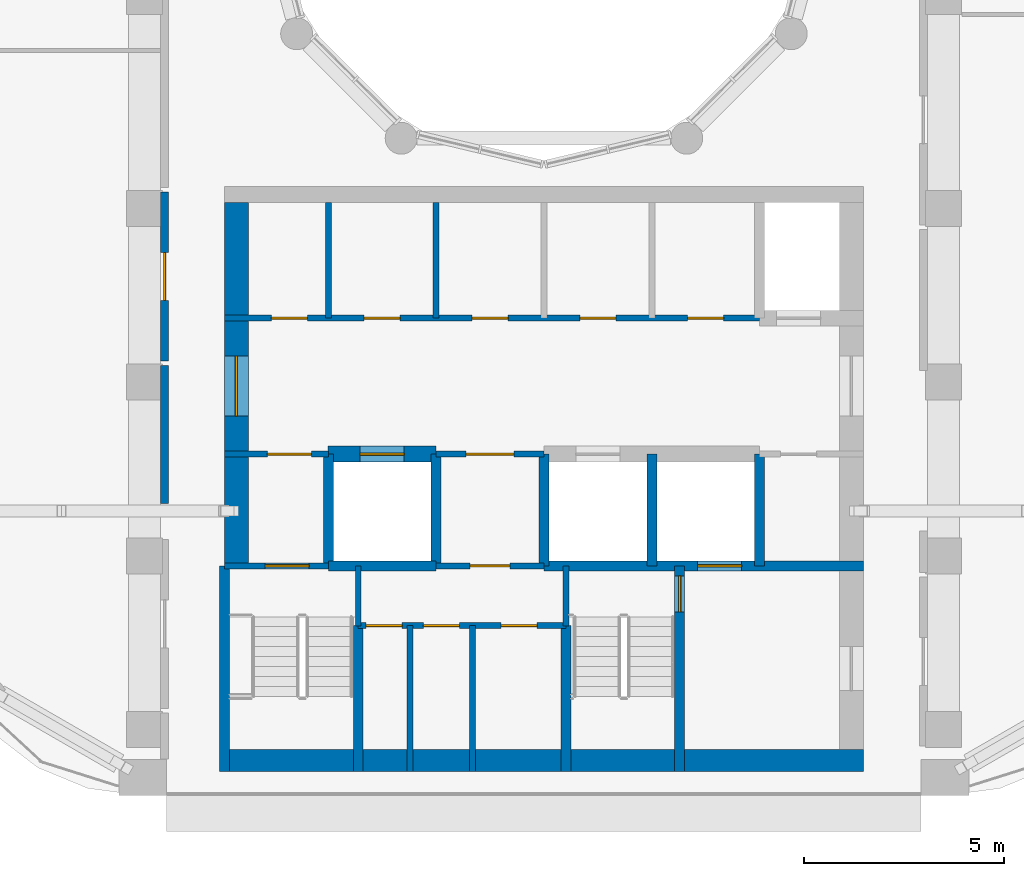
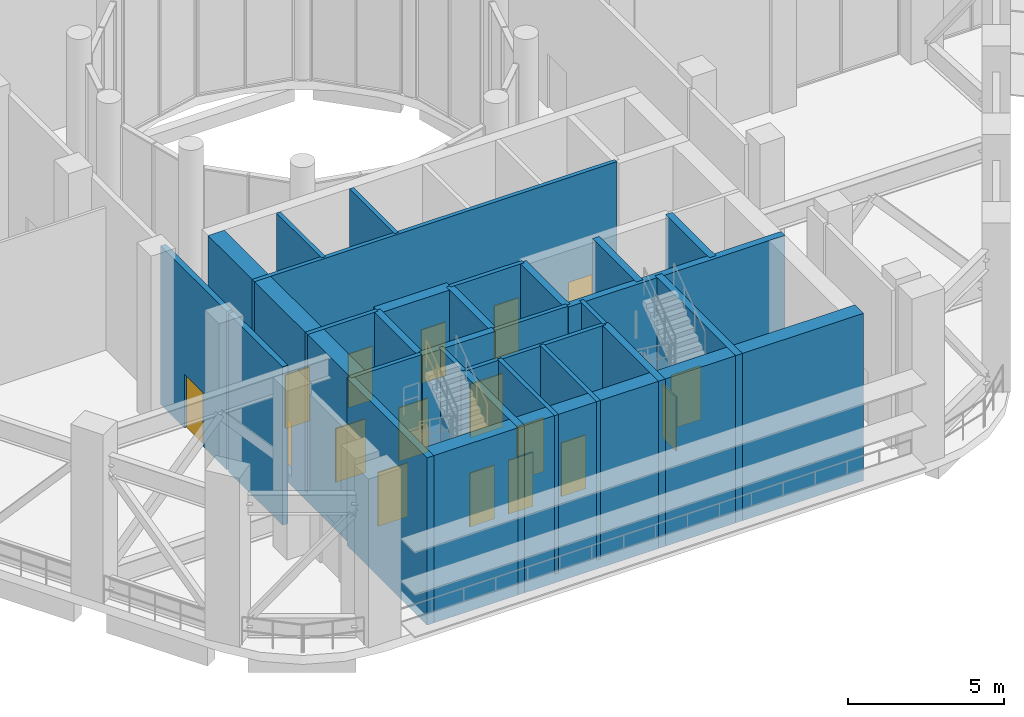
# One storey, part 8 of 19: 28 walls, 17 doors, 17 openings.
"""IFC4 building model written with IfcOpenShell, lengths in metres."""

from ifc_helpers import new_model, si_unit, direction, frame, frame_2d, origin, place, context, subcontext, project, spatial, rectangle, extrude, material, layer, layer_set, type_object, element, fill, save


model = new_model("IFC4")

# Units and contexts
model_context = context("Model", 3, precision=1e-05, world=origin(), true_north=direction((0.0, 1.0)))
body_context = subcontext(model_context, "Body", "Model", "MODEL_VIEW")
ifc_project = project(units=[si_unit("LENGTHUNIT", "METRE"), si_unit("AREAUNIT", "SQUARE_METRE"), si_unit("VOLUMEUNIT", "CUBIC_METRE"), si_unit("PLANEANGLEUNIT", "RADIAN"), si_unit("MASSUNIT", "GRAM", prefix="KILO")], contexts=[model_context])

# Site, building, storey
site_placement = place(None, origin())
site = spatial("IfcSite", under=ifc_project, at=site_placement, CompositionType="ELEMENT")
building_placement = place(site_placement, origin())
building = spatial("IfcBuilding", under=site, at=building_placement, Name="Nakaniwa Court", CompositionType="ELEMENT")
storey_placement = place(building_placement, frame((0.0, 0.0, 219.60009765625)))
storey = spatial("IfcBuildingStorey", under=building, at=storey_placement, Name="S4", CompositionType="ELEMENT", Elevation=219.60009765625)

# Wall
ifc_material_1 = material(Name="Acoustic double stud partition")
ifc_layer_1 = layer(ifc_material_1, 0.199951171875)
ifc_layer_set_1 = layer_set([ifc_layer_1], Name="Acoustic double stud partition")
wall_type_1 = type_object("IfcWallType", Name="Acoustic double stud partition 200", PredefinedType="PARTITIONING", material=ifc_layer_set_1)
wall_1_placement = place(storey_placement, frame((70.5, 64.655517578125, 0.0), z_axis=(0.0, 0.0, 1.0), x_axis=(0.0, 1.0, 0.0)))
element("IfcWall", 1, at=wall_1_placement, inside=storey, type_object=wall_type_1, Name="Partition PW-076", PredefinedType="PARTITIONING", context=body_context, shape_type="SweptSolid", body=[
    extrude(rectangle(XDim=3.45751953125, YDim=0.199951171875, at=frame_2d((1.728759765625, 0.0))), origin(), (0.0, 0.0, 1.0), 6.18994140625),
])

# Wall, opening, door
wall_2_placement = place(storey_placement, frame((70.5, 68.22705078125, 0.0), z_axis=(0.0, 0.0, 1.0), x_axis=(0.0, 1.0, 0.0)))
wall_2 = element("IfcWall", 2, at=wall_2_placement, inside=storey, type_object=wall_type_1, Name="Partition PW-077", PredefinedType="PARTITIONING", context=body_context, shape_type="SweptSolid", body=[
    extrude(rectangle(XDim=4.23583984375, YDim=0.199951171875, at=frame_2d((2.117919921875, 0.0))), origin(), (0.0, 0.0, 1.0), 6.18994140625),
])
opening_1_placement = place(wall_2_placement, frame((1.51806640625, 0.0, 0.0)))
opening_1 = element("IfcOpeningElement", 3, at=opening_1_placement, cuts=wall_2, Name="Opening D-35-03", PredefinedType="OPENING", context=body_context, shape_type="SweptSolid", body=[
    extrude(rectangle(XDim=1.199951171875, YDim=2.10009765625, at=frame_2d((0.60009765625, 1.050048828125))), frame((0.0, 0.10986328125, 0.0), z_axis=(0.0, -1.0, 0.0), x_axis=(1.0, 0.0, 0.0)), (0.0, 0.0, 1.0), 0.219970703125),
])
ifc_material_2 = material(Name="Fire rated steel door set", Category="steel")
door_type_1 = type_object("IfcDoorType", Name="Service room door 1200", OperationType="NOTDEFINED", PredefinedType="DOOR", material=ifc_material_2)
door_1_placement = place(opening_1_placement, origin())
door_1 = element("IfcDoor", 4, at=door_1_placement, inside=storey, type_object=door_type_1, Name="Door D-35-03 S4-035", OperationType="SINGLE_SWING_RIGHT", OverallHeight=2.10009765625, OverallWidth=1.199951171875, PredefinedType="DOOR", context=body_context, shape_type="SweptSolid", body=[
    extrude(rectangle(XDim=1.199951171875, YDim=2.10009765625, at=frame_2d((0.60009765625, 1.050048828125))), frame((0.0, 0.02490234375, 0.0), z_axis=(0.0, -1.0, 0.0), x_axis=(1.0, 0.0, 0.0)), (0.0, 0.0, 1.0), 0.050048828125),
])
fill(opening_1, door_1)

# Wall
ifc_material_3 = material(Name="Blockwork partition", Category="masonry")
ifc_layer_2 = layer(ifc_material_3, 0.14990234375)
ifc_layer_set_2 = layer_set([ifc_layer_2], Name="Blockwork partition")
wall_type_2 = type_object("IfcWallType", Name="Blockwork partition 150", PredefinedType="PARTITIONING", material=ifc_layer_set_2)
wall_3_placement = place(storey_placement, frame((74.60009765625, 69.300048828125, 0.0), z_axis=(0.0, 0.0, 1.0), x_axis=(0.0, 1.0, 0.0)))
element("IfcWall", 5, at=wall_3_placement, inside=storey, type_object=wall_type_2, Name="Partition PW-033", PredefinedType="PARTITIONING", context=body_context, shape_type="SweptSolid", body=[
    extrude(rectangle(XDim=2.89990234375, YDim=0.14990234375, at=frame_2d((1.449951171875, 0.0))), origin(), (0.0, 0.0, 1.0), 6.18994140625),
])

# Wall, openings, doors
wall_4_placement = place(storey_placement, frame((72.0, 69.300048828125, 0.0), z_axis=(0.0, 0.0, 1.0), x_axis=(1.0, 0.0, 0.0)))
wall_4 = element("IfcWall", 6, at=wall_4_placement, inside=storey, type_object=wall_type_2, Name="Partition PW-034", PredefinedType="PARTITIONING", context=body_context, shape_type="SweptSolid", body=[
    extrude(rectangle(XDim=13.39990234375, YDim=0.14990234375, at=frame_2d((6.699951171875, 0.0))), origin(), (0.0, 0.0, 1.0), 6.18994140625),
])
opening_2_placement = place(wall_4_placement, frame((1.175048828125, 0.0, 0.0)))
opening_2 = element("IfcOpeningElement", 7, at=opening_2_placement, cuts=wall_4, Name="Opening D-05-10", PredefinedType="OPENING", context=body_context, shape_type="SweptSolid", body=[
    extrude(rectangle(XDim=0.89990234375, YDim=2.10009765625, at=frame_2d((0.449951171875, 1.050048828125))), frame((0.0, 0.0849609375, 0.0), z_axis=(0.0, -1.0, 0.0), x_axis=(1.0, 0.0, 0.0)), (0.0, 0.0, 1.0), 0.169921875),
])
opening_3_placement = place(wall_4_placement, frame((3.5, 0.0, 0.0)))
opening_3 = element("IfcOpeningElement", 8, at=opening_3_placement, cuts=wall_4, Name="Opening D-05-11", PredefinedType="OPENING", context=body_context, shape_type="SweptSolid", body=[
    extrude(rectangle(XDim=0.89990234375, YDim=2.10009765625, at=frame_2d((0.449951171875, 1.050048828125))), frame((0.0, 0.0849609375, 0.0), z_axis=(0.0, -1.0, 0.0), x_axis=(1.0, 0.0, 0.0)), (0.0, 0.0, 1.0), 0.169921875),
])
opening_4_placement = place(wall_4_placement, frame((6.199951171875, 0.0, 0.0)))
opening_4 = element("IfcOpeningElement", 9, at=opening_4_placement, cuts=wall_4, Name="Opening D-05-12", PredefinedType="OPENING", context=body_context, shape_type="SweptSolid", body=[
    extrude(rectangle(XDim=0.89990234375, YDim=2.10009765625, at=frame_2d((0.449951171875, 1.050048828125))), frame((0.0, 0.0849609375, 0.0), z_axis=(0.0, -1.0, 0.0), x_axis=(1.0, 0.0, 0.0)), (0.0, 0.0, 1.0), 0.169921875),
])
opening_5_placement = place(wall_4_placement, frame((8.89990234375, 0.0, 0.0)))
opening_5 = element("IfcOpeningElement", 10, at=opening_5_placement, cuts=wall_4, Name="Opening D-05-13", PredefinedType="OPENING", context=body_context, shape_type="SweptSolid", body=[
    extrude(rectangle(XDim=0.89990234375, YDim=2.10009765625, at=frame_2d((0.449951171875, 1.050048828125))), frame((0.0, 0.0849609375, 0.0), z_axis=(0.0, -1.0, 0.0), x_axis=(1.0, 0.0, 0.0)), (0.0, 0.0, 1.0), 0.169921875),
])
opening_6_placement = place(wall_4_placement, frame((11.60009765625, 0.0, 0.0)))
opening_6 = element("IfcOpeningElement", 11, at=opening_6_placement, cuts=wall_4, Name="Opening D-05-14", PredefinedType="OPENING", context=body_context, shape_type="SweptSolid", body=[
    extrude(rectangle(XDim=0.89990234375, YDim=2.10009765625, at=frame_2d((0.449951171875, 1.050048828125))), frame((0.0, 0.0849609375, 0.0), z_axis=(0.0, -1.0, 0.0), x_axis=(1.0, 0.0, 0.0)), (0.0, 0.0, 1.0), 0.169921875),
])
door_type_2 = type_object("IfcDoorType", Name="Service room door 900", OperationType="NOTDEFINED", PredefinedType="DOOR", material=ifc_material_2)
door_2_placement = place(opening_2_placement, origin())
door_2 = element("IfcDoor", 12, at=door_2_placement, inside=storey, type_object=door_type_2, Name="Door D-05-10 S4-015", OperationType="SINGLE_SWING_RIGHT", OverallHeight=2.10009765625, OverallWidth=0.89990234375, PredefinedType="DOOR", context=body_context, shape_type="SweptSolid", body=[
    extrude(rectangle(XDim=0.89990234375, YDim=2.10009765625, at=frame_2d((0.449951171875, 1.050048828125))), frame((0.0, 0.02490234375, 0.0), z_axis=(0.0, -1.0, 0.0), x_axis=(1.0, 0.0, 0.0)), (0.0, 0.0, 1.0), 0.050048828125),
])
fill(opening_2, door_2)
door_3_placement = place(opening_3_placement, origin())
door_3 = element("IfcDoor", 13, at=door_3_placement, inside=storey, type_object=door_type_2, Name="Door D-05-11 S4-016", OperationType="SINGLE_SWING_LEFT", OverallHeight=2.10009765625, OverallWidth=0.89990234375, PredefinedType="DOOR", context=body_context, shape_type="SweptSolid", body=[
    extrude(rectangle(XDim=0.89990234375, YDim=2.10009765625, at=frame_2d((0.449951171875, 1.050048828125))), frame((0.0, 0.02490234375, 0.0), z_axis=(0.0, -1.0, 0.0), x_axis=(1.0, 0.0, 0.0)), (0.0, 0.0, 1.0), 0.050048828125),
])
fill(opening_3, door_3)
door_4_placement = place(opening_4_placement, origin())
door_4 = element("IfcDoor", 14, at=door_4_placement, inside=storey, type_object=door_type_2, Name="Door D-05-12 S4-017", OperationType="SINGLE_SWING_RIGHT", OverallHeight=2.10009765625, OverallWidth=0.89990234375, PredefinedType="DOOR", context=body_context, shape_type="SweptSolid", body=[
    extrude(rectangle(XDim=0.89990234375, YDim=2.10009765625, at=frame_2d((0.449951171875, 1.050048828125))), frame((0.0, 0.02490234375, 0.0), z_axis=(0.0, -1.0, 0.0), x_axis=(1.0, 0.0, 0.0)), (0.0, 0.0, 1.0), 0.050048828125),
])
fill(opening_4, door_4)
door_5_placement = place(opening_5_placement, origin())
door_5 = element("IfcDoor", 15, at=door_5_placement, inside=storey, type_object=door_type_2, Name="Door D-05-13 S4-018", OperationType="SINGLE_SWING_LEFT", OverallHeight=2.10009765625, OverallWidth=0.89990234375, PredefinedType="DOOR", context=body_context, shape_type="SweptSolid", body=[
    extrude(rectangle(XDim=0.89990234375, YDim=2.10009765625, at=frame_2d((0.449951171875, 1.050048828125))), frame((0.0, 0.02490234375, 0.0), z_axis=(0.0, -1.0, 0.0), x_axis=(1.0, 0.0, 0.0)), (0.0, 0.0, 1.0), 0.050048828125),
])
fill(opening_5, door_5)
door_6_placement = place(opening_6_placement, origin())
door_6 = element("IfcDoor", 16, at=door_6_placement, inside=storey, type_object=door_type_2, Name="Door D-05-14 S4-019", OperationType="SINGLE_SWING_RIGHT", OverallHeight=2.10009765625, OverallWidth=0.89990234375, PredefinedType="DOOR", context=body_context, shape_type="SweptSolid", body=[
    extrude(rectangle(XDim=0.89990234375, YDim=2.10009765625, at=frame_2d((0.449951171875, 1.050048828125))), frame((0.0, 0.02490234375, 0.0), z_axis=(0.0, -1.0, 0.0), x_axis=(1.0, 0.0, 0.0)), (0.0, 0.0, 1.0), 0.050048828125),
])
fill(opening_6, door_6)

# Wall
wall_5_placement = place(storey_placement, frame((77.300048828125, 69.300048828125, 0.0), z_axis=(0.0, 0.0, 1.0), x_axis=(0.0, 1.0, 0.0)))
element("IfcWall", 17, at=wall_5_placement, inside=storey, type_object=wall_type_2, Name="Partition PW-040", PredefinedType="PARTITIONING", context=body_context, shape_type="SweptSolid", body=[
    extrude(rectangle(XDim=2.89990234375, YDim=0.14990234375, at=frame_2d((1.449951171875, 0.0))), origin(), (0.0, 0.0, 1.0), 6.18994140625),
])

# Wall, opening, door
wall_6_placement = place(storey_placement, frame((74.60302734375, 65.89990234375, 0.0), z_axis=(0.0, 0.0, 1.0), x_axis=(-1.0, 0.0, 0.0)))
wall_6 = element("IfcWall", 18, at=wall_6_placement, inside=storey, type_object=wall_type_2, Name="Partition PW-043", PredefinedType="PARTITIONING", context=body_context, shape_type="SweptSolid", body=[
    extrude(rectangle(XDim=2.60302734375, YDim=0.14990234375, at=frame_2d((1.301513671875, 0.0))), origin(), (0.0, 0.0, 1.0), 6.18994140625),
])
opening_7_placement = place(wall_6_placement, frame((0.427978515625, 0.0, 0.0)))
opening_7 = element("IfcOpeningElement", 19, at=opening_7_placement, cuts=wall_6, Name="Opening D-08-02", PredefinedType="OPENING", context=body_context, shape_type="SweptSolid", body=[
    extrude(rectangle(XDim=1.10009765625, YDim=2.10009765625, at=frame_2d((0.550048828125, 1.050048828125))), frame((0.0, 0.0849609375, 0.0), z_axis=(0.0, -1.0, 0.0), x_axis=(1.0, 0.0, 0.0)), (0.0, 0.0, 1.0), 0.169921875),
])
door_type_3 = type_object("IfcDoorType", Name="Stair lobby door 1100", OperationType="NOTDEFINED", PredefinedType="DOOR", material=ifc_material_2)
door_7_placement = place(opening_7_placement, origin())
door_7 = element("IfcDoor", 20, at=door_7_placement, inside=storey, type_object=door_type_3, Name="Door D-08-02 S4-020", OperationType="SINGLE_SWING_LEFT", OverallHeight=2.10009765625, OverallWidth=1.10009765625, PredefinedType="DOOR", context=body_context, shape_type="SweptSolid", body=[
    extrude(rectangle(XDim=1.10009765625, YDim=2.10009765625, at=frame_2d((0.550048828125, 1.050048828125))), frame((0.0, 0.02490234375, 0.0), z_axis=(0.0, -1.0, 0.0), x_axis=(1.0, 0.0, 0.0)), (0.0, 0.0, 1.0), 0.050048828125),
])
fill(opening_7, door_7)

wall_7_placement = place(storey_placement, frame((80.0029296875, 65.89990234375, 0.0), z_axis=(0.0, 0.0, 1.0), x_axis=(-1.0, 0.0, 0.0)))
wall_7 = element("IfcWall", 21, at=wall_7_placement, inside=storey, type_object=wall_type_2, Name="Partition PW-044", PredefinedType="PARTITIONING", context=body_context, shape_type="SweptSolid", body=[
    extrude(rectangle(XDim=2.705810546875, YDim=0.14990234375, at=frame_2d((1.35302734375, 0.0))), origin(), (0.0, 0.0, 1.0), 6.18994140625),
])
opening_8_placement = place(wall_7_placement, frame((0.7529296875, 0.0, 0.0)))
opening_8 = element("IfcOpeningElement", 22, at=opening_8_placement, cuts=wall_7, Name="Opening D-06-02", PredefinedType="OPENING", context=body_context, shape_type="SweptSolid", body=[
    extrude(rectangle(XDim=1.199951171875, YDim=2.10009765625, at=frame_2d((0.60009765625, 1.050048828125))), frame((0.0, 0.0849609375, 0.0), z_axis=(0.0, -1.0, 0.0), x_axis=(1.0, 0.0, 0.0)), (0.0, 0.0, 1.0), 0.169921875),
])
ifc_material_4 = material(Name="Fire rated steel double door set", Category="steel")
door_type_4 = type_object("IfcDoorType", Name="Service passage double door 1200", OperationType="NOTDEFINED", PredefinedType="DOOR", material=ifc_material_4)
door_8_placement = place(opening_8_placement, origin())
door_8 = element("IfcDoor", 23, at=door_8_placement, inside=storey, type_object=door_type_4, Name="Door D-06-02 S4-021", OperationType="DOUBLE_DOOR_SINGLE_SWING", OverallHeight=2.10009765625, OverallWidth=1.199951171875, PredefinedType="DOOR", context=body_context, shape_type="SweptSolid", body=[
    extrude(rectangle(XDim=1.199951171875, YDim=2.10009765625, at=frame_2d((0.60009765625, 1.050048828125))), frame((0.0, 0.02490234375, 0.0), z_axis=(0.0, -1.0, 0.0), x_axis=(1.0, 0.0, 0.0)), (0.0, 0.0, 1.0), 0.050048828125),
])
fill(opening_8, door_8)

wall_8_placement = place(storey_placement, frame((80.0, 63.10009765625, 0.0), z_axis=(0.0, 0.0, 1.0), x_axis=(-1.0, 0.0, 0.0)))
wall_8 = element("IfcWall", 24, at=wall_8_placement, inside=storey, type_object=wall_type_2, Name="Partition PW-054", PredefinedType="PARTITIONING", context=body_context, shape_type="SweptSolid", body=[
    extrude(rectangle(XDim=2.699951171875, YDim=0.14990234375, at=frame_2d((1.35009765625, 0.0))), origin(), (0.0, 0.0, 1.0), 6.18994140625),
])
opening_9_placement = place(wall_8_placement, frame((0.85009765625, 0.0, 0.0)))
opening_9 = element("IfcOpeningElement", 25, at=opening_9_placement, cuts=wall_8, Name="Opening D-23-02", PredefinedType="OPENING", context=body_context, shape_type="SweptSolid", body=[
    extrude(rectangle(XDim=1.0, YDim=2.10009765625, at=frame_2d((0.5, 1.050048828125))), frame((0.0, 0.0849609375, 0.0), z_axis=(0.0, -1.0, 0.0), x_axis=(1.0, 0.0, 0.0)), (0.0, 0.0, 1.0), 0.169921875),
])
door_type_5 = type_object("IfcDoorType", Name="Service room door 1000", OperationType="NOTDEFINED", PredefinedType="DOOR", material=ifc_material_2)
door_9_placement = place(opening_9_placement, origin())
door_9 = element("IfcDoor", 26, at=door_9_placement, inside=storey, type_object=door_type_5, Name="Door D-23-02 S4-023", OperationType="SINGLE_SWING_RIGHT", OverallHeight=2.10009765625, OverallWidth=1.0, PredefinedType="DOOR", context=body_context, shape_type="SweptSolid", body=[
    extrude(rectangle(XDim=1.0, YDim=2.10009765625, at=frame_2d((0.5, 1.050048828125))), frame((0.0, 0.02490234375, 0.0), z_axis=(0.0, -1.0, 0.0), x_axis=(1.0, 0.0, 0.0)), (0.0, 0.0, 1.0), 0.050048828125),
])
fill(opening_9, door_9)

# Wall, openings, doors
wall_9_placement = place(storey_placement, frame((80.550048828125, 61.60009765625, 0.0), z_axis=(0.0, 0.0, 1.0), x_axis=(-1.0, 0.0, 0.0)))
wall_9 = element("IfcWall", 27, at=wall_9_placement, inside=storey, type_object=wall_type_2, Name="Partition PW-062", PredefinedType="PARTITIONING", context=body_context, shape_type="SweptSolid", body=[
    extrude(rectangle(XDim=5.199951171875, YDim=0.14990234375, at=frame_2d((2.60009765625, 0.0))), origin(), (0.0, 0.0, 1.0), 6.18994140625),
])
opening_10_placement = place(wall_9_placement, frame((4.10009765625, 0.0, 0.0)))
opening_10 = element("IfcOpeningElement", 28, at=opening_10_placement, cuts=wall_9, Name="Opening D-05-16", PredefinedType="OPENING", context=body_context, shape_type="SweptSolid", body=[
    extrude(rectangle(XDim=0.89990234375, YDim=2.10009765625, at=frame_2d((0.449951171875, 1.050048828125))), frame((0.0, 0.0849609375, 0.0), z_axis=(0.0, -1.0, 0.0), x_axis=(1.0, 0.0, 0.0)), (0.0, 0.0, 1.0), 0.169921875),
])
opening_11_placement = place(wall_9_placement, frame((2.669921875, 0.0, 0.0)))
opening_11 = element("IfcOpeningElement", 29, at=opening_11_placement, cuts=wall_9, Name="Opening D-05-17", PredefinedType="OPENING", context=body_context, shape_type="SweptSolid", body=[
    extrude(rectangle(XDim=0.89990234375, YDim=2.10009765625, at=frame_2d((0.449951171875, 1.050048828125))), frame((0.0, 0.0849609375, 0.0), z_axis=(0.0, -1.0, 0.0), x_axis=(1.0, 0.0, 0.0)), (0.0, 0.0, 1.0), 0.169921875),
])
opening_12_placement = place(wall_9_placement, frame((0.719970703125, 0.0, 0.0)))
opening_12 = element("IfcOpeningElement", 30, at=opening_12_placement, cuts=wall_9, Name="Opening D-05-18", PredefinedType="OPENING", context=body_context, shape_type="SweptSolid", body=[
    extrude(rectangle(XDim=0.89990234375, YDim=2.10009765625, at=frame_2d((0.449951171875, 1.050048828125))), frame((0.0, 0.0849609375, 0.0), z_axis=(0.0, -1.0, 0.0), x_axis=(1.0, 0.0, 0.0)), (0.0, 0.0, 1.0), 0.169921875),
])
door_10_placement = place(opening_10_placement, origin())
door_10 = element("IfcDoor", 31, at=door_10_placement, inside=storey, type_object=door_type_2, Name="Door D-05-16 S4-024", OperationType="SINGLE_SWING_LEFT", OverallHeight=2.10009765625, OverallWidth=0.89990234375, PredefinedType="DOOR", context=body_context, shape_type="SweptSolid", body=[
    extrude(rectangle(XDim=0.89990234375, YDim=2.10009765625, at=frame_2d((0.449951171875, 1.050048828125))), frame((0.0, 0.02490234375, 0.0), z_axis=(0.0, -1.0, 0.0), x_axis=(1.0, 0.0, 0.0)), (0.0, 0.0, 1.0), 0.050048828125),
])
fill(opening_10, door_10)
door_11_placement = place(opening_11_placement, origin())
door_11 = element("IfcDoor", 32, at=door_11_placement, inside=storey, type_object=door_type_2, Name="Door D-05-17 S4-025", OperationType="SINGLE_SWING_RIGHT", OverallHeight=2.10009765625, OverallWidth=0.89990234375, PredefinedType="DOOR", context=body_context, shape_type="SweptSolid", body=[
    extrude(rectangle(XDim=0.89990234375, YDim=2.10009765625, at=frame_2d((0.449951171875, 1.050048828125))), frame((0.0, 0.02490234375, 0.0), z_axis=(0.0, -1.0, 0.0), x_axis=(1.0, 0.0, 0.0)), (0.0, 0.0, 1.0), 0.050048828125),
])
fill(opening_11, door_11)
door_12_placement = place(opening_12_placement, origin())
door_12 = element("IfcDoor", 33, at=door_12_placement, inside=storey, type_object=door_type_2, Name="Door D-05-18 S4-026", OperationType="SINGLE_SWING_LEFT", OverallHeight=2.10009765625, OverallWidth=0.89990234375, PredefinedType="DOOR", context=body_context, shape_type="SweptSolid", body=[
    extrude(rectangle(XDim=0.89990234375, YDim=2.10009765625, at=frame_2d((0.449951171875, 1.050048828125))), frame((0.0, 0.02490234375, 0.0), z_axis=(0.0, -1.0, 0.0), x_axis=(1.0, 0.0, 0.0)), (0.0, 0.0, 1.0), 0.050048828125),
])
fill(opening_12, door_12)

# Walls
for number, where, z_axis, x_axis, name in (
    (34, (76.64990234375, 57.949951171875, 0.0), (0.0, 0.0, 1.0), (0.0, 1.0, 0.0), "Partition PW-063"),
    (35, (78.2099609375, 57.949951171875, 0.0), (0.0, 0.0, 1.0), (0.0, 1.0, 0.0), "Partition PW-064"),
):
    element("IfcWall", number, at=place(storey_placement, frame(where, z_axis=z_axis, x_axis=x_axis)), inside=storey, type_object=wall_type_2, Name=name, PredefinedType="PARTITIONING", context=body_context, shape_type="SweptSolid", body=[
        extrude(rectangle(XDim=3.650146484375, YDim=0.14990234375, at=frame_2d((1.8251953125, 0.0))), origin(), (0.0, 0.0, 1.0), 6.18994140625),
    ])

# Wall, opening, door
ifc_material_5 = material(Name="Concrete C80/100", Category="concrete")
ifc_layer_3 = layer(ifc_material_5, 0.60009765625)
ifc_layer_set_3 = layer_set([ifc_layer_3], Name="Concrete C80/100")
wall_type_3 = type_object("IfcWallType", Name="Concrete core side wall 600 C80", PredefinedType="SHEAR", material=ifc_layer_set_3)
wall_10_placement = place(storey_placement, frame((72.300048828125, 63.10009765625, -0.35009765625), z_axis=(0.0, 0.0, 1.0), x_axis=(0.0, 1.0, 0.0)))
wall_10 = element("IfcWall", 36, at=wall_10_placement, inside=storey, type_object=wall_type_3, Name="Core wall SW-35", PredefinedType="SHEAR", context=body_context, shape_type="SweptSolid", body=[
    extrude(rectangle(XDim=9.099853515625, YDim=0.60009765625, at=frame_2d((4.5498046875, 0.0))), origin(), (0.0, 0.0, 1.0), 6.5400390625),
])
opening_13_placement = place(wall_10_placement, frame((3.75, 0.0, 0.35009765625)))
opening_13 = element("IfcOpeningElement", 37, at=opening_13_placement, cuts=wall_10, Name="Opening D-07-04", PredefinedType="OPENING", context=body_context, shape_type="SweptSolid", body=[
    extrude(rectangle(XDim=1.5, YDim=2.10009765625, at=frame_2d((0.75, 1.050048828125))), frame((0.0, 0.31005859375, 0.0), z_axis=(0.0, -1.0, 0.0), x_axis=(1.0, 0.0, 0.0)), (0.0, 0.0, 1.0), 0.6201171875),
])
ifc_material_6 = material(Name="Glazed fire rated steel double door set", Category="steel")
door_type_6 = type_object("IfcDoorType", Name="Lobby double door 1500", OperationType="NOTDEFINED", PredefinedType="DOOR", material=ifc_material_6)
door_13_placement = place(opening_13_placement, origin())
door_13 = element("IfcDoor", 38, at=door_13_placement, inside=storey, type_object=door_type_6, Name="Door D-07-04 S4-043", OperationType="DOUBLE_DOOR_SINGLE_SWING", OverallHeight=2.10009765625, OverallWidth=1.5, PredefinedType="DOOR", context=body_context, shape_type="SweptSolid", body=[
    extrude(rectangle(XDim=1.5, YDim=2.10009765625, at=frame_2d((0.75, 1.050048828125))), frame((0.0, 0.02490234375, 0.0), z_axis=(0.0, -1.0, 0.0), x_axis=(1.0, 0.0, 0.0)), (0.0, 0.0, 1.0), 0.050048828125),
])
fill(opening_13, door_13)

ifc_layer_4 = layer(ifc_material_5, 0.39990234375)
ifc_layer_set_4 = layer_set([ifc_layer_4], Name="Concrete C80/100")
wall_type_4 = type_object("IfcWallType", Name="Concrete core spine wall 400 C80", PredefinedType="SHEAR", material=ifc_layer_set_4)
wall_11_placement = place(storey_placement, frame((74.596923828125, 65.89990234375, -0.35009765625), z_axis=(0.0, 0.0, 1.0), x_axis=(1.0, 0.0, 0.0)))
wall_11 = element("IfcWall", 39, at=wall_11_placement, inside=storey, type_object=wall_type_4, Name="Core wall SW-46", PredefinedType="SHEAR", context=body_context, shape_type="SweptSolid", body=[
    extrude(rectangle(XDim=2.7060546875, YDim=0.39990234375, at=frame_2d((1.35302734375, 0.0))), origin(), (0.0, 0.0, 1.0), 6.5400390625),
])
opening_14_placement = place(wall_11_placement, frame((0.802978515625, 0.0, 0.35009765625)))
opening_14 = element("IfcOpeningElement", 40, at=opening_14_placement, cuts=wall_11, Name="Opening LD06", PredefinedType="OPENING", context=body_context, shape_type="SweptSolid", body=[
    extrude(rectangle(XDim=1.10009765625, YDim=2.10009765625, at=frame_2d((0.550048828125, 1.050048828125))), frame((0.0, 0.2099609375, 0.0), z_axis=(0.0, -1.0, 0.0), x_axis=(1.0, 0.0, 0.0)), (0.0, 0.0, 1.0), 0.419921875),
])
ifc_material_7 = material(Name="Stainless steel sliding lift landing door", Category="steel")
door_type_7 = type_object("IfcDoorType", Name="Lift landing door 1100", OperationType="NOTDEFINED", PredefinedType="DOOR", material=ifc_material_7)
door_14_placement = place(opening_14_placement, origin())
door_14 = element("IfcDoor", 41, at=door_14_placement, inside=storey, type_object=door_type_7, Name="Lift landing door LD06 S4-006", OperationType="SLIDING_TO_LEFT", OverallHeight=2.10009765625, OverallWidth=1.10009765625, PredefinedType="DOOR", context=body_context, shape_type="SweptSolid", body=[
    extrude(rectangle(XDim=1.10009765625, YDim=2.10009765625, at=frame_2d((0.550048828125, 1.050048828125))), frame((0.0, 0.02490234375, 0.0), z_axis=(0.0, -1.0, 0.0), x_axis=(1.0, 0.0, 0.0)), (0.0, 0.0, 1.0), 0.050048828125),
])
fill(opening_14, door_14)

ifc_layer_5 = layer(ifc_material_5, 0.14990234375)
ifc_layer_set_5 = layer_set([ifc_layer_5], Name="Concrete C80/100")
wall_type_5 = type_object("IfcWallType", Name="Concrete core wall 150 C80", PredefinedType="SHEAR", material=ifc_layer_set_5)
wall_12_placement = place(storey_placement, frame((72.0, 63.10009765625, -0.35009765625), z_axis=(0.0, 0.0, 1.0), x_axis=(1.0, 0.0, 0.0)))
wall_12 = element("IfcWall", 42, at=wall_12_placement, inside=storey, type_object=wall_type_5, Name="Core wall SW-49", PredefinedType="SHEAR", context=body_context, shape_type="SweptSolid", body=[
    extrude(rectangle(XDim=2.60009765625, YDim=0.14990234375, at=frame_2d((1.300048828125, 0.0))), origin(), (0.0, 0.0, 1.0), 6.5400390625),
])
opening_15_placement = place(wall_12_placement, frame((1.02001953125, 0.0, 0.35009765625)))
opening_15 = element("IfcOpeningElement", 43, at=opening_15_placement, cuts=wall_12, Name="Opening D-09-02", PredefinedType="OPENING", context=body_context, shape_type="SweptSolid", body=[
    extrude(rectangle(XDim=1.10009765625, YDim=2.10009765625, at=frame_2d((0.550048828125, 1.050048828125))), frame((0.0, 0.0849609375, 0.0), z_axis=(0.0, -1.0, 0.0), x_axis=(1.0, 0.0, 0.0)), (0.0, 0.0, 1.0), 0.169921875),
])
door_type_8 = type_object("IfcDoorType", Name="Stair door 1100", OperationType="NOTDEFINED", PredefinedType="DOOR", material=ifc_material_2)
door_15_placement = place(opening_15_placement, origin())
door_15 = element("IfcDoor", 44, at=door_15_placement, inside=storey, type_object=door_type_8, Name="Door D-09-02 S4-027", OperationType="SINGLE_SWING_LEFT", OverallHeight=2.10009765625, OverallWidth=1.10009765625, PredefinedType="DOOR", context=body_context, shape_type="SweptSolid", body=[
    extrude(rectangle(XDim=1.10009765625, YDim=2.10009765625, at=frame_2d((0.550048828125, 1.050048828125))), frame((0.0, 0.02490234375, 0.0), z_axis=(0.0, -1.0, 0.0), x_axis=(1.0, 0.0, 0.0)), (0.0, 0.0, 1.0), 0.050048828125),
])
fill(opening_15, door_15)

# Walls
for number, where, z_axis, x_axis, name in (
    (45, (75.35009765625, 61.596923828125, -0.35009765625), (0.0, 0.0, 1.0), (0.0, 1.0, 0.0), "Core wall SW-56"),
    (46, (80.550048828125, 61.596923828125, -0.35009765625), (0.0, 0.0, 1.0), (0.0, 1.0, 0.0), "Core wall SW-60"),
):
    element("IfcWall", number, at=place(storey_placement, frame(where, z_axis=z_axis, x_axis=x_axis)), inside=storey, type_object=wall_type_5, Name=name, PredefinedType="SHEAR", context=body_context, shape_type="SweptSolid", body=[
        extrude(rectangle(XDim=1.503173828125, YDim=0.14990234375, at=frame_2d((0.75146484375, 0.0))), origin(), (0.0, 0.0, 1.0), 6.5400390625),
    ])
ifc_layer_6 = layer(ifc_material_5, 0.25)
ifc_layer_set_6 = layer_set([ifc_layer_6], Name="Concrete C80/100")
wall_type_6 = type_object("IfcWallType", Name="Concrete core wall 250 C80", PredefinedType="SHEAR", material=ifc_layer_set_6)
wall_13_placement = place(storey_placement, frame((72.0, 57.949951171875, -0.35009765625), z_axis=(0.0, 0.0, 1.0), x_axis=(0.0, 1.0, 0.0)))
element("IfcWall", 47, at=wall_13_placement, inside=storey, type_object=wall_type_6, Name="Core wall SW-58", PredefinedType="SHEAR", context=body_context, shape_type="SweptSolid", body=[
    extrude(rectangle(XDim=5.150146484375, YDim=0.25, at=frame_2d((2.5751953125, 0.0))), origin(), (0.0, 0.0, 1.0), 6.5400390625),
])
ifc_layer_7 = layer(ifc_material_5, 0.550048828125)
ifc_layer_set_7 = layer_set([ifc_layer_7], Name="Concrete C80/100")
wall_type_7 = type_object("IfcWallType", Name="Concrete core wall 550 C80", PredefinedType="SHEAR", material=ifc_layer_set_7)
wall_14_placement = place(storey_placement, frame((72.00390625, 58.22509765625, -0.35009765625), z_axis=(0.0, 0.0, 1.0), x_axis=(1.0, 0.0, 0.0)))
element("IfcWall", 48, at=wall_14_placement, inside=storey, type_object=wall_type_7, Name="Core wall SW-91", PredefinedType="SHEAR", context=body_context, shape_type="SweptSolid", body=[
    extrude(rectangle(XDim=15.9921875, YDim=0.550048828125, at=frame_2d((7.99609375, 0.0))), origin(), (0.0, 0.0, 1.0), 6.5400390625),
])
ifc_layer_8 = layer(ifc_material_5, 0.25)
ifc_layer_set_8 = layer_set([ifc_layer_8], Name="Concrete C80/100")
wall_type_8 = type_object("IfcWallType", Name="Concrete shaft wall 250 C80", PredefinedType="SHEAR", material=ifc_layer_set_8)
for number, where, z_axis, x_axis, name in (
    (49, (85.39990234375, 63.10009765625, -0.35009765625), (0.0, 0.0, 1.0), (0.0, 1.0, 0.0), "Core wall SW-36"),
    (50, (74.60009765625, 63.10009765625, -0.35009765625), (0.0, 0.0, 1.0), (0.0, 1.0, 0.0), "Core wall SW-48"),
    (51, (77.300048828125, 63.10009765625, -0.35009765625), (0.0, 0.0, 1.0), (0.0, 1.0, 0.0), "Core wall SW-50"),
):
    element("IfcWall", number, at=place(storey_placement, frame(where, z_axis=z_axis, x_axis=x_axis)), inside=storey, type_object=wall_type_8, Name=name, PredefinedType="SHEAR", context=body_context, shape_type="SweptSolid", body=[
        extrude(rectangle(XDim=2.7998046875, YDim=0.25, at=frame_2d((1.39990234375, 0.0))), origin(), (0.0, 0.0, 1.0), 6.5400390625),
    ])
wall_15_placement = place(storey_placement, frame((74.60009765625, 63.10009765625, -0.35009765625), z_axis=(0.0, 0.0, 1.0), x_axis=(1.0, 0.0, 0.0)))
element("IfcWall", 52, at=wall_15_placement, inside=storey, type_object=wall_type_8, Name="Core wall SW-51", PredefinedType="SHEAR", context=body_context, shape_type="SweptSolid", body=[
    extrude(rectangle(XDim=2.699951171875, YDim=0.25, at=frame_2d((1.35009765625, 0.0))), origin(), (0.0, 0.0, 1.0), 6.5400390625),
])

# Wall, opening, door
wall_16_placement = place(storey_placement, frame((80.0, 63.10009765625, -0.35009765625), z_axis=(0.0, 0.0, 1.0), x_axis=(1.0, 0.0, 0.0)))
wall_16 = element("IfcWall", 53, at=wall_16_placement, inside=storey, type_object=wall_type_8, Name="Core wall SW-52", PredefinedType="SHEAR", context=body_context, shape_type="SweptSolid", body=[
    extrude(rectangle(XDim=8.0, YDim=0.25, at=frame_2d((4.0, 0.0))), origin(), (0.0, 0.0, 1.0), 6.5400390625),
])
opening_16_placement = place(wall_16_placement, frame((3.84912109375, 0.0, 0.35009765625)))
opening_16 = element("IfcOpeningElement", 54, at=opening_16_placement, cuts=wall_16, Name="Opening LD08", PredefinedType="OPENING", context=body_context, shape_type="SweptSolid", body=[
    extrude(rectangle(XDim=1.10009765625, YDim=2.10009765625, at=frame_2d((0.550048828125, 1.050048828125))), frame((0.0, 0.135009765625, 0.0), z_axis=(0.0, -1.0, 0.0), x_axis=(1.0, 0.0, 0.0)), (0.0, 0.0, 1.0), 0.27001953125),
])
door_16_placement = place(opening_16_placement, origin())
door_16 = element("IfcDoor", 55, at=door_16_placement, inside=storey, type_object=door_type_7, Name="Lift landing door LD08 S4-008", OperationType="SLIDING_TO_LEFT", OverallHeight=2.10009765625, OverallWidth=1.10009765625, PredefinedType="DOOR", context=body_context, shape_type="SweptSolid", body=[
    extrude(rectangle(XDim=1.10009765625, YDim=2.10009765625, at=frame_2d((0.550048828125, 1.050048828125))), frame((0.0, 0.02490234375, 0.0), z_axis=(0.0, -1.0, 0.0), x_axis=(1.0, 0.0, 0.0)), (0.0, 0.0, 1.0), 0.050048828125),
])
fill(opening_16, door_16)

# Walls
for number, where, z_axis, x_axis, name in (
    (56, (80.0, 63.10009765625, -0.35009765625), (0.0, 0.0, 1.0), (0.0, 1.0, 0.0), "Core wall SW-53"),
    (57, (82.699951171875, 63.10009765625, -0.35009765625), (0.0, 0.0, 1.0), (0.0, 1.0, 0.0), "Core wall SW-55"),
):
    element("IfcWall", number, at=place(storey_placement, frame(where, z_axis=z_axis, x_axis=x_axis)), inside=storey, type_object=wall_type_8, Name=name, PredefinedType="SHEAR", context=body_context, shape_type="SweptSolid", body=[
        extrude(rectangle(XDim=2.7998046875, YDim=0.25, at=frame_2d((1.39990234375, 0.0))), origin(), (0.0, 0.0, 1.0), 6.5400390625),
    ])
wall_17_placement = place(storey_placement, frame((75.35009765625, 57.949951171875, -0.35009765625), z_axis=(0.0, 0.0, 1.0), x_axis=(0.0, 1.0, 0.0)))
element("IfcWall", 58, at=wall_17_placement, inside=storey, type_object=wall_type_8, Name="Core wall SW-57", PredefinedType="SHEAR", context=body_context, shape_type="SweptSolid", body=[
    extrude(rectangle(XDim=3.653076171875, YDim=0.25, at=frame_2d((1.82666015625, 0.0))), origin(), (0.0, 0.0, 1.0), 6.5400390625),
])

# Wall, opening, door
wall_18_placement = place(storey_placement, frame((83.39990234375, 63.10009765625, -0.35009765625), z_axis=(0.0, 0.0, 1.0), x_axis=(0.0, -1.0, 0.0)))
wall_18 = element("IfcWall", 59, at=wall_18_placement, inside=storey, type_object=wall_type_8, Name="Core wall SW-59", PredefinedType="SHEAR", context=body_context, shape_type="SweptSolid", body=[
    extrude(rectangle(XDim=5.150146484375, YDim=0.25, at=frame_2d((2.5751953125, 0.0))), origin(), (0.0, 0.0, 1.0), 6.5400390625),
])
opening_17_placement = place(wall_18_placement, frame((0.25, 0.0, 0.35009765625)))
opening_17 = element("IfcOpeningElement", 60, at=opening_17_placement, cuts=wall_18, Name="Opening D-11-02", PredefinedType="OPENING", context=body_context, shape_type="SweptSolid", body=[
    extrude(rectangle(XDim=0.89990234375, YDim=2.10009765625, at=frame_2d((0.449951171875, 1.050048828125))), frame((0.0, 0.135009765625, 0.0), z_axis=(0.0, -1.0, 0.0), x_axis=(1.0, 0.0, 0.0)), (0.0, 0.0, 1.0), 0.27001953125),
])
door_type_9 = type_object("IfcDoorType", Name="Stair door 900", OperationType="NOTDEFINED", PredefinedType="DOOR", material=ifc_material_2)
door_17_placement = place(opening_17_placement, origin())
door_17 = element("IfcDoor", 61, at=door_17_placement, inside=storey, type_object=door_type_9, Name="Door D-11-02 S4-028", OperationType="SINGLE_SWING_RIGHT", OverallHeight=2.10009765625, OverallWidth=0.89990234375, PredefinedType="DOOR", context=body_context, shape_type="SweptSolid", body=[
    extrude(rectangle(XDim=0.89990234375, YDim=2.10009765625, at=frame_2d((0.449951171875, 1.050048828125))), frame((0.0, 0.02490234375, 0.0), z_axis=(0.0, -1.0, 0.0), x_axis=(1.0, 0.0, 0.0)), (0.0, 0.0, 1.0), 0.050048828125),
])
fill(opening_17, door_17)

# Wall
wall_19_placement = place(storey_placement, frame((80.550048828125, 57.949951171875, -0.35009765625), z_axis=(0.0, 0.0, 1.0), x_axis=(0.0, 1.0, 0.0)))
element("IfcWall", 62, at=wall_19_placement, inside=storey, type_object=wall_type_8, Name="Core wall SW-61", PredefinedType="SHEAR", context=body_context, shape_type="SweptSolid", body=[
    extrude(rectangle(XDim=3.653076171875, YDim=0.25, at=frame_2d((1.82666015625, 0.0))), origin(), (0.0, 0.0, 1.0), 6.5400390625),
])

save(model, "model.ifc")
